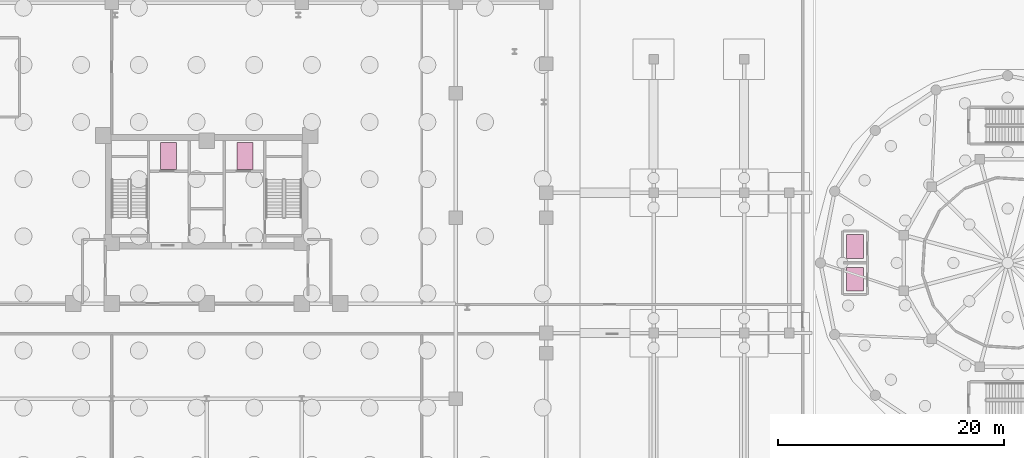
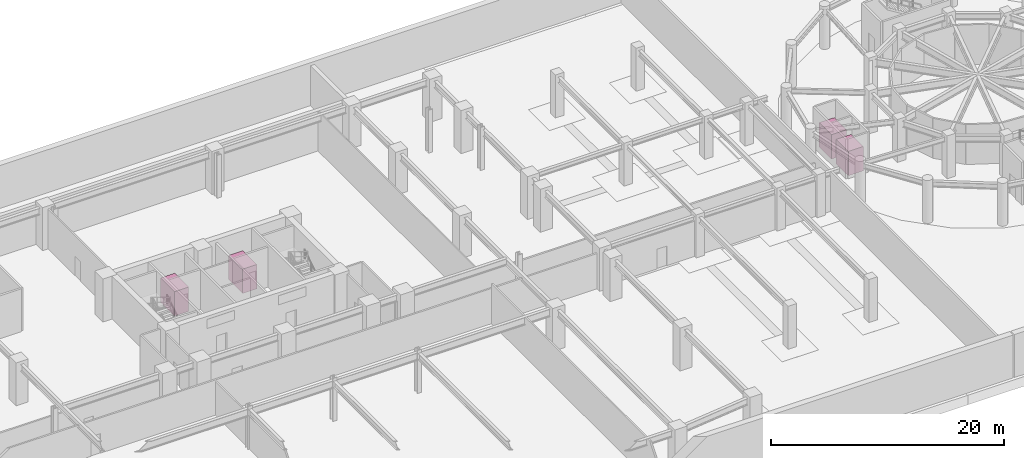
# One storey, part 15 of 15: 4 transport elements.
"""IFC4 building model written with IfcOpenShell, lengths in metres."""

from ifc_helpers import new_model, si_unit, derived_unit, direction, frame, origin, origin_2d, place, context, subcontext, project, spatial, rectangle, extrude, source, transform, mapped, material, type_object, element, save


model = new_model("IFC4")

# Units and contexts
model_context = context("Model", 3, precision=1e-05, world=origin(), true_north=direction((0.0, 1.0)))
body_context = subcontext(model_context, "Body", "Model", "MODEL_VIEW")
ifc_project = project(units=[si_unit("LENGTHUNIT", "METRE"), si_unit("AREAUNIT", "SQUARE_METRE"), si_unit("VOLUMEUNIT", "CUBIC_METRE"), si_unit("PLANEANGLEUNIT", "RADIAN"), si_unit("MASSUNIT", "GRAM", prefix="KILO"), derived_unit("THERMALTRANSMITTANCEUNIT", [(si_unit("POWERUNIT", "WATT"), 1), (si_unit("LENGTHUNIT", "METRE"), -2), (si_unit("THERMODYNAMICTEMPERATUREUNIT", "KELVIN"), -1)])], contexts=[model_context])

# Site, building, storey
site_placement = place(None, origin())
site = spatial("IfcSite", under=ifc_project, at=site_placement, CompositionType="ELEMENT")
building_placement = place(site_placement, origin())
building = spatial("IfcBuilding", under=site, at=building_placement, Name="Korsvarv Bourse and Concert Hall", CompositionType="ELEMENT")
storey_placement = place(building_placement, frame((0.0, 0.0, -9.0)))
storey = spatial("IfcBuildingStorey", under=building, at=storey_placement, Name="B02", CompositionType="ELEMENT", Elevation=-9.0)

# Transport elements
ifc_material_1 = material(Name="Stainless Steel S355 fire-rated elevator car", Category="steel")
transport_element_type_1 = type_object("IfcTransportElementType", Name="LFT-CAR-FF", PredefinedType="ELEVATOR", material=ifc_material_1)
shared_shape_1 = source(origin(), body_context, "Body", "SweptSolid", [
    extrude(rectangle(XDim=1.39990234375, YDim=2.39990234375, at=origin_2d()), origin(), (0.0, 0.0, 1.0), 2.550048828125),
])
for number, where, z_axis, x_axis, name in (
    (1, (32.6201171875, 45.449951171875, 0.0), (0.0, 0.0, 1.0), (1.0, 0.0, 0.0), "Firefighting Lift FF1"),
    (2, (39.3798828125, 45.449951171875, 0.0), (0.0, 0.0, 1.0), (1.0, 0.0, 0.0), "Firefighting Lift FF2"),
):
    element("IfcTransportElement", number, at=place(storey_placement, frame(where, z_axis=z_axis, x_axis=x_axis)), inside=storey, type_object=transport_element_type_1, Name=name, PredefinedType="ELEVATOR", context=body_context, shape_type="MappedRepresentation", body=[
        mapped(shared_shape_1, transform((0.0, 0.0, 0.0), scale=1.0)),
    ])
ifc_material_2 = material(Name="Stainless Steel S355 and oak concert elevator car", Category="steel")
transport_element_type_2 = type_object("IfcTransportElementType", Name="LFT-CAR-CH", PredefinedType="ELEVATOR", material=ifc_material_2)
shared_shape_2 = source(origin(), body_context, "Body", "SweptSolid", [
    extrude(rectangle(XDim=1.5, YDim=2.10009765625, at=origin_2d()), origin(), (0.0, 0.0, 1.0), 2.550048828125),
])
for number, where, z_axis, x_axis, name in (
    (3, (93.300048828125, 37.449951171875, 0.0), (0.0, 0.0, 1.0), (1.0, 0.0, 0.0), "Concert Hall Lift CHL1"),
    (4, (93.300048828125, 34.550048828125, 0.0), (0.0, 0.0, 1.0), (1.0, 0.0, 0.0), "Concert Hall Lift CHL2"),
):
    element("IfcTransportElement", number, at=place(storey_placement, frame(where, z_axis=z_axis, x_axis=x_axis)), inside=storey, type_object=transport_element_type_2, Name=name, PredefinedType="ELEVATOR", context=body_context, shape_type="MappedRepresentation", body=[
        mapped(shared_shape_2, transform((0.0, 0.0, 0.0), scale=1.0)),
    ])

save(model, "model.ifc")
